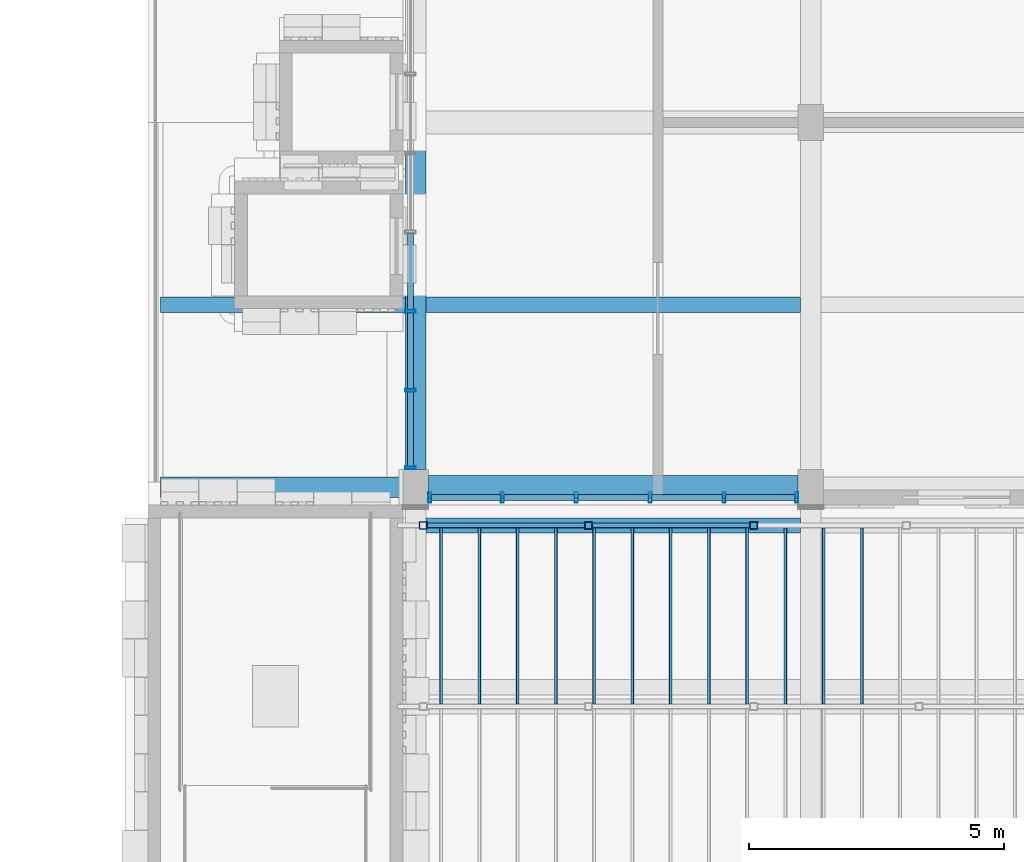
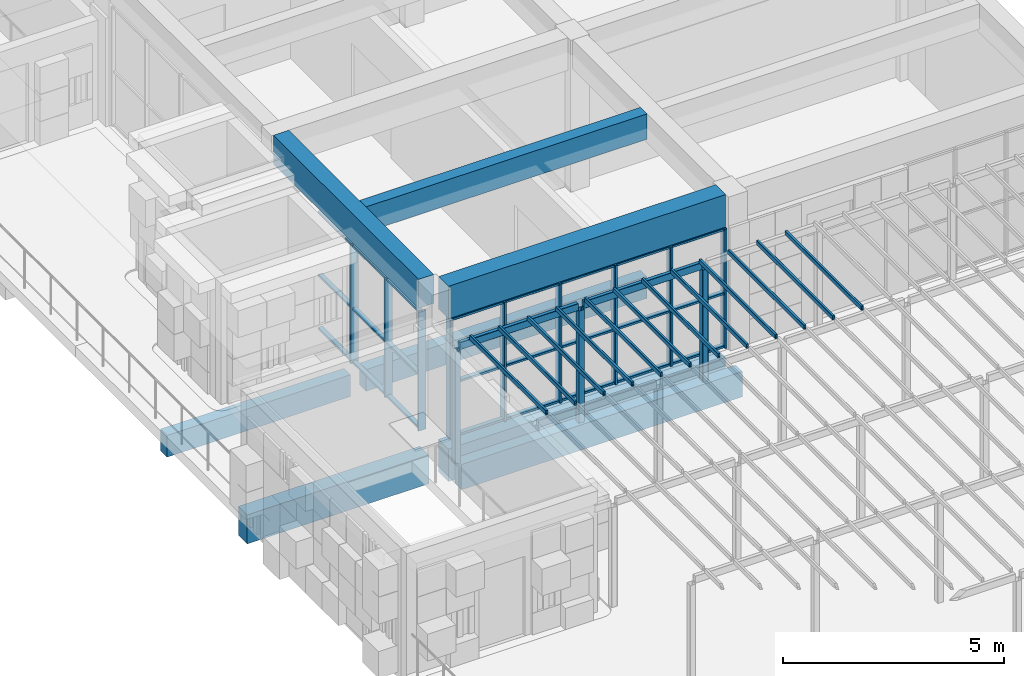
# One storey, part 4 of 26: 48 members, 10 beams, 2 elements without a shape of their own.
"""IFC4 building model written with IfcOpenShell, lengths in metres."""

from ifc_helpers import new_model, si_unit, direction, frame, origin, origin_2d, place, context, subcontext, project, spatial, rectangle, hollow_rectangle, extrude, material, material_profile, profile_set, type_object, element, aggregate, save


model = new_model("IFC4")

# Units and contexts
model_context = context("Model", 3, precision=1e-05, world=origin(), true_north=direction((0.0, 1.0)))
body_context = subcontext(model_context, "Body", "Model", "MODEL_VIEW")
ifc_project = project(units=[si_unit("LENGTHUNIT", "METRE"), si_unit("AREAUNIT", "SQUARE_METRE"), si_unit("VOLUMEUNIT", "CUBIC_METRE"), si_unit("PLANEANGLEUNIT", "RADIAN"), si_unit("MASSUNIT", "GRAM", prefix="KILO")], contexts=[model_context])

# Site, building, storey
site_placement = place(None, origin())
site = spatial("IfcSite", under=ifc_project, at=site_placement, CompositionType="ELEMENT")
building_placement = place(site_placement, origin())
building = spatial("IfcBuilding", under=site, at=building_placement, Name="Sun Court Science Centre", CompositionType="ELEMENT")
storey_placement = place(building_placement, frame((0.0, 0.0, 29.25)))
storey = spatial("IfcBuildingStorey", under=building, at=storey_placement, Name="L06", CompositionType="ELEMENT", Elevation=29.25)

# Curtain wall, members
ifc_material_1 = material(Name="Aluminium EN AW-6063 T6", Category="aluminium")
curtain_wall_type = type_object("IfcCurtainWallType", Name="Laboratory tall bay curtain wall 1500", PredefinedType="NOTDEFINED", material=ifc_material_1)
curtain_wall_1_placement = place(storey_placement, origin())
curtain_wall_1 = element("IfcCurtainWall", 1, at=curtain_wall_1_placement, inside=storey, type_object=curtain_wall_type, Name="Curtain wall V4 PW L06 01", PredefinedType="NOTDEFINED")
ifc_material_2 = material(Name="Aluminium EN AW-6063 T6", Category="aluminium")
ifc_material_profile_1 = material_profile(ifc_material_2, hollow_rectangle(XDim=0.06005859375, YDim=0.199951171875, WallThickness=0.0048828125, InnerFilletRadius=0.0048828125, OuterFilletRadius=0.007568359375, at=origin_2d()), Name="AL 60x200x5")
ifc_profile_set_1 = profile_set([ifc_material_profile_1], Name="Aluminium EN AW-6063 T6")
member_type_1 = type_object("IfcMemberType", Name="Curtain wall mullion AL 60x200", PredefinedType="MULLION", material=ifc_profile_set_1)
member_1_placement = place(storey_placement, frame((87.14990234375, 44.22998046875, 0.0), z_axis=(0.0, 0.0, 1.0), x_axis=(0.0, 1.0, 0.0)))
member_1 = element("IfcMember", 2, at=member_1_placement, type_object=member_type_1, Name="CW2-78 mullion 1", PredefinedType="MULLION", context=body_context, shape_type="SweptSolid", body=[
    extrude(hollow_rectangle(XDim=0.06005859375, YDim=0.199951171875, WallThickness=0.0048828125, InnerFilletRadius=0.0048828125, OuterFilletRadius=0.007568359375, at=origin_2d()), origin(), (0.0, 0.0, 1.0), 3.280029296875),
])
member_2_placement = place(storey_placement, frame((87.14990234375, 45.75, 0.0), z_axis=(0.0, 0.0, 1.0), x_axis=(0.0, 1.0, 0.0)))
member_2 = element("IfcMember", 3, at=member_2_placement, type_object=member_type_1, Name="CW2-78 mullion 2", PredefinedType="MULLION", context=body_context, shape_type="SweptSolid", body=[
    extrude(hollow_rectangle(XDim=0.06005859375, YDim=0.199951171875, WallThickness=0.0048828125, InnerFilletRadius=0.0048828125, OuterFilletRadius=0.007568359375, at=origin_2d()), origin(), (0.0, 0.0, 1.0), 3.280029296875),
])
member_3_placement = place(storey_placement, frame((87.14990234375, 47.300048828125, 0.0), z_axis=(0.0, 0.0, 1.0), x_axis=(0.0, 1.0, 0.0)))
member_3 = element("IfcMember", 4, at=member_3_placement, type_object=member_type_1, Name="CW2-78 mullion 3", PredefinedType="MULLION", context=body_context, shape_type="SweptSolid", body=[
    extrude(hollow_rectangle(XDim=0.06005859375, YDim=0.199951171875, WallThickness=0.0048828125, InnerFilletRadius=0.0048828125, OuterFilletRadius=0.007568359375, at=origin_2d()), origin(), (0.0, 0.0, 1.0), 3.280029296875),
])

curtain_wall_2_placement = place(storey_placement, origin())
curtain_wall_2 = element("IfcCurtainWall", 5, at=curtain_wall_2_placement, inside=storey, type_object=curtain_wall_type, Name="Curtain wall V4 PS L06 02", PredefinedType="NOTDEFINED")
member_4_placement = place(storey_placement, frame((87.530029296875, 43.64990234375, 0.0), z_axis=(0.0, 0.0, 1.0), x_axis=(-1.0, 0.0, 0.0)))
member_4 = element("IfcMember", 6, at=member_4_placement, type_object=member_type_1, Name="CW2-85 mullion 6", PredefinedType="MULLION", context=body_context, shape_type="SweptSolid", body=[
    extrude(hollow_rectangle(XDim=0.06005859375, YDim=0.199951171875, WallThickness=0.0048828125, InnerFilletRadius=0.0048828125, OuterFilletRadius=0.007568359375, at=origin_2d()), origin(), (0.0, 0.0, 1.0), 3.300048828125),
])
member_5_placement = place(storey_placement, frame((88.949951171875, 43.64990234375, 0.0), z_axis=(0.0, 0.0, 1.0), x_axis=(-1.0, 0.0, 0.0)))
member_5 = element("IfcMember", 7, at=member_5_placement, type_object=member_type_1, Name="CW2-85 mullion 5", PredefinedType="MULLION", context=body_context, shape_type="SweptSolid", body=[
    extrude(hollow_rectangle(XDim=0.06005859375, YDim=0.199951171875, WallThickness=0.0048828125, InnerFilletRadius=0.0048828125, OuterFilletRadius=0.007568359375, at=origin_2d()), origin(), (0.0, 0.0, 1.0), 3.300048828125),
])
member_6_placement = place(storey_placement, frame((90.39990234375, 43.64990234375, 0.0), z_axis=(0.0, 0.0, 1.0), x_axis=(-1.0, 0.0, 0.0)))
member_6 = element("IfcMember", 8, at=member_6_placement, type_object=member_type_1, Name="CW2-85 mullion 4", PredefinedType="MULLION", context=body_context, shape_type="SweptSolid", body=[
    extrude(hollow_rectangle(XDim=0.06005859375, YDim=0.199951171875, WallThickness=0.0048828125, InnerFilletRadius=0.0048828125, OuterFilletRadius=0.007568359375, at=origin_2d()), origin(), (0.0, 0.0, 1.0), 3.300048828125),
])
member_7_placement = place(storey_placement, frame((91.85009765625, 43.64990234375, 0.0), z_axis=(0.0, 0.0, 1.0), x_axis=(-1.0, 0.0, 0.0)))
member_7 = element("IfcMember", 9, at=member_7_placement, type_object=member_type_1, Name="CW2-85 mullion 3", PredefinedType="MULLION", context=body_context, shape_type="SweptSolid", body=[
    extrude(hollow_rectangle(XDim=0.06005859375, YDim=0.199951171875, WallThickness=0.0048828125, InnerFilletRadius=0.0048828125, OuterFilletRadius=0.007568359375, at=origin_2d()), origin(), (0.0, 0.0, 1.0), 3.300048828125),
])
member_8_placement = place(storey_placement, frame((93.300048828125, 43.64990234375, 0.0), z_axis=(0.0, 0.0, 1.0), x_axis=(-1.0, 0.0, 0.0)))
member_8 = element("IfcMember", 10, at=member_8_placement, type_object=member_type_1, Name="CW2-85 mullion 2", PredefinedType="MULLION", context=body_context, shape_type="SweptSolid", body=[
    extrude(hollow_rectangle(XDim=0.06005859375, YDim=0.199951171875, WallThickness=0.0048828125, InnerFilletRadius=0.0048828125, OuterFilletRadius=0.007568359375, at=origin_2d()), origin(), (0.0, 0.0, 1.0), 3.300048828125),
])
member_9_placement = place(storey_placement, frame((94.719970703125, 43.64990234375, 0.0), z_axis=(0.0, 0.0, 1.0), x_axis=(-1.0, 0.0, 0.0)))
member_9 = element("IfcMember", 11, at=member_9_placement, type_object=member_type_1, Name="CW2-85 mullion 1", PredefinedType="MULLION", context=body_context, shape_type="SweptSolid", body=[
    extrude(hollow_rectangle(XDim=0.06005859375, YDim=0.199951171875, WallThickness=0.0048828125, InnerFilletRadius=0.0048828125, OuterFilletRadius=0.007568359375, at=origin_2d()), origin(), (0.0, 0.0, 1.0), 3.300048828125),
])

# Member
ifc_material_3 = material(Name="Aluminium EN AW-6063 T6", Category="aluminium")
ifc_material_profile_2 = material_profile(ifc_material_3, hollow_rectangle(XDim=0.06005859375, YDim=0.1201171875, WallThickness=0.00390625, InnerFilletRadius=0.00390625, OuterFilletRadius=0.006103515625, at=origin_2d()), Name="AL 60x120x4")
ifc_profile_set_2 = profile_set([ifc_material_profile_2], Name="Aluminium EN AW-6063 T6")
member_type_2 = type_object("IfcMemberType", Name="Curtain wall transom AL 60x120", PredefinedType="USERDEFINED", material=ifc_profile_set_2)
member_10_placement = place(storey_placement, frame((87.14990234375, 44.260009765625, 0.030029296875), z_axis=(0.0, 1.0, 0.0), x_axis=(0.0, 0.0, 1.0)))
member_10 = element("IfcMember", 12, at=member_10_placement, type_object=member_type_2, Name="CW2-78 transom 1.1", ObjectType="TRANSOM", PredefinedType="USERDEFINED", context=body_context, shape_type="SweptSolid", body=[
    extrude(hollow_rectangle(XDim=0.06005859375, YDim=0.1201171875, WallThickness=0.00390625, InnerFilletRadius=0.00390625, OuterFilletRadius=0.006103515625, at=origin_2d()), origin(), (0.0, 0.0, 1.0), 1.4599609375),
])

member_11_placement = place(storey_placement, frame((87.14990234375, 45.780029296875, 0.030029296875), z_axis=(0.0, 1.0, 0.0), x_axis=(0.0, 0.0, 1.0)))
member_11 = element("IfcMember", 13, at=member_11_placement, type_object=member_type_2, Name="CW2-78 transom 2.1", ObjectType="TRANSOM", PredefinedType="USERDEFINED", context=body_context, shape_type="SweptSolid", body=[
    extrude(hollow_rectangle(XDim=0.06005859375, YDim=0.1201171875, WallThickness=0.00390625, InnerFilletRadius=0.00390625, OuterFilletRadius=0.006103515625, at=origin_2d()), origin(), (0.0, 0.0, 1.0), 1.489990234375),
])

member_12_placement = place(storey_placement, frame((87.14990234375, 47.330078125, 0.030029296875), z_axis=(0.0, 1.0, 0.0), x_axis=(0.0, 0.0, 1.0)))
member_12 = element("IfcMember", 14, at=member_12_placement, type_object=member_type_2, Name="CW2-78 transom 3.1", ObjectType="TRANSOM", PredefinedType="USERDEFINED", context=body_context, shape_type="SweptSolid", body=[
    extrude(hollow_rectangle(XDim=0.06005859375, YDim=0.1201171875, WallThickness=0.00390625, InnerFilletRadius=0.00390625, OuterFilletRadius=0.006103515625, at=origin_2d()), origin(), (0.0, 0.0, 1.0), 1.489990234375),
])

member_13_placement = place(storey_placement, frame((87.14990234375, 44.260009765625, 1.5), z_axis=(0.0, 1.0, 0.0), x_axis=(0.0, 0.0, 1.0)))
member_13 = element("IfcMember", 15, at=member_13_placement, type_object=member_type_2, Name="CW2-78 transom 1.2", ObjectType="TRANSOM", PredefinedType="USERDEFINED", context=body_context, shape_type="SweptSolid", body=[
    extrude(hollow_rectangle(XDim=0.06005859375, YDim=0.1201171875, WallThickness=0.00390625, InnerFilletRadius=0.00390625, OuterFilletRadius=0.006103515625, at=origin_2d()), origin(), (0.0, 0.0, 1.0), 1.4599609375),
])

member_14_placement = place(storey_placement, frame((87.14990234375, 45.780029296875, 1.5), z_axis=(0.0, 1.0, 0.0), x_axis=(0.0, 0.0, 1.0)))
member_14 = element("IfcMember", 16, at=member_14_placement, type_object=member_type_2, Name="CW2-78 transom 2.2", ObjectType="TRANSOM", PredefinedType="USERDEFINED", context=body_context, shape_type="SweptSolid", body=[
    extrude(hollow_rectangle(XDim=0.06005859375, YDim=0.1201171875, WallThickness=0.00390625, InnerFilletRadius=0.00390625, OuterFilletRadius=0.006103515625, at=origin_2d()), origin(), (0.0, 0.0, 1.0), 1.489990234375),
])

member_15_placement = place(storey_placement, frame((87.14990234375, 47.330078125, 1.5), z_axis=(0.0, 1.0, 0.0), x_axis=(0.0, 0.0, 1.0)))
member_15 = element("IfcMember", 17, at=member_15_placement, type_object=member_type_2, Name="CW2-78 transom 3.2", ObjectType="TRANSOM", PredefinedType="USERDEFINED", context=body_context, shape_type="SweptSolid", body=[
    extrude(hollow_rectangle(XDim=0.06005859375, YDim=0.1201171875, WallThickness=0.00390625, InnerFilletRadius=0.00390625, OuterFilletRadius=0.006103515625, at=origin_2d()), origin(), (0.0, 0.0, 1.0), 1.489990234375),
])

member_16_placement = place(storey_placement, frame((87.14990234375, 44.260009765625, 3.25), z_axis=(0.0, 1.0, 0.0), x_axis=(0.0, 0.0, 1.0)))
member_16 = element("IfcMember", 18, at=member_16_placement, type_object=member_type_2, Name="CW2-78 transom 1.3", ObjectType="TRANSOM", PredefinedType="USERDEFINED", context=body_context, shape_type="SweptSolid", body=[
    extrude(hollow_rectangle(XDim=0.06005859375, YDim=0.1201171875, WallThickness=0.00390625, InnerFilletRadius=0.00390625, OuterFilletRadius=0.006103515625, at=origin_2d()), origin(), (0.0, 0.0, 1.0), 1.4599609375),
])

member_17_placement = place(storey_placement, frame((87.14990234375, 45.780029296875, 3.25), z_axis=(0.0, 1.0, 0.0), x_axis=(0.0, 0.0, 1.0)))
member_17 = element("IfcMember", 19, at=member_17_placement, type_object=member_type_2, Name="CW2-78 transom 2.3", ObjectType="TRANSOM", PredefinedType="USERDEFINED", context=body_context, shape_type="SweptSolid", body=[
    extrude(hollow_rectangle(XDim=0.06005859375, YDim=0.1201171875, WallThickness=0.00390625, InnerFilletRadius=0.00390625, OuterFilletRadius=0.006103515625, at=origin_2d()), origin(), (0.0, 0.0, 1.0), 1.489990234375),
])

member_18_placement = place(storey_placement, frame((87.14990234375, 47.330078125, 3.25), z_axis=(0.0, 1.0, 0.0), x_axis=(0.0, 0.0, 1.0)))
member_18 = element("IfcMember", 20, at=member_18_placement, type_object=member_type_2, Name="CW2-78 transom 3.3", ObjectType="TRANSOM", PredefinedType="USERDEFINED", context=body_context, shape_type="SweptSolid", body=[
    extrude(hollow_rectangle(XDim=0.06005859375, YDim=0.1201171875, WallThickness=0.00390625, InnerFilletRadius=0.00390625, OuterFilletRadius=0.006103515625, at=origin_2d()), origin(), (0.0, 0.0, 1.0), 1.489990234375),
])

aggregate(curtain_wall_1, [member_1, member_2, member_3, member_10, member_11, member_12, member_13, member_14, member_15, member_16, member_17, member_18])

member_19_placement = place(storey_placement, frame((88.919921875, 43.64990234375, 0.030029296875), z_axis=(-1.0, 0.0, 0.0), x_axis=(0.0, 0.0, 1.0)))
member_19 = element("IfcMember", 21, at=member_19_placement, type_object=member_type_2, Name="CW2-85 transom 5.1", ObjectType="TRANSOM", PredefinedType="USERDEFINED", context=body_context, shape_type="SweptSolid", body=[
    extrude(hollow_rectangle(XDim=0.06005859375, YDim=0.1201171875, WallThickness=0.00390625, InnerFilletRadius=0.00390625, OuterFilletRadius=0.006103515625, at=origin_2d()), origin(), (0.0, 0.0, 1.0), 1.35986328125),
])

member_20_placement = place(storey_placement, frame((90.3701171875, 43.64990234375, 0.030029296875), z_axis=(-1.0, 0.0, 0.0), x_axis=(0.0, 0.0, 1.0)))
member_20 = element("IfcMember", 22, at=member_20_placement, type_object=member_type_2, Name="CW2-85 transom 4.1", ObjectType="TRANSOM", PredefinedType="USERDEFINED", context=body_context, shape_type="SweptSolid", body=[
    extrude(hollow_rectangle(XDim=0.06005859375, YDim=0.1201171875, WallThickness=0.00390625, InnerFilletRadius=0.00390625, OuterFilletRadius=0.006103515625, at=origin_2d()), origin(), (0.0, 0.0, 1.0), 1.39013671875),
])

member_21_placement = place(storey_placement, frame((91.820068359375, 43.64990234375, 0.030029296875), z_axis=(-1.0, 0.0, 0.0), x_axis=(0.0, 0.0, 1.0)))
member_21 = element("IfcMember", 23, at=member_21_placement, type_object=member_type_2, Name="CW2-85 transom 3.1", ObjectType="TRANSOM", PredefinedType="USERDEFINED", context=body_context, shape_type="SweptSolid", body=[
    extrude(hollow_rectangle(XDim=0.06005859375, YDim=0.1201171875, WallThickness=0.00390625, InnerFilletRadius=0.00390625, OuterFilletRadius=0.006103515625, at=origin_2d()), origin(), (0.0, 0.0, 1.0), 1.39013671875),
])

member_22_placement = place(storey_placement, frame((93.27001953125, 43.64990234375, 0.030029296875), z_axis=(-1.0, 0.0, 0.0), x_axis=(0.0, 0.0, 1.0)))
member_22 = element("IfcMember", 24, at=member_22_placement, type_object=member_type_2, Name="CW2-85 transom 2.1", ObjectType="TRANSOM", PredefinedType="USERDEFINED", context=body_context, shape_type="SweptSolid", body=[
    extrude(hollow_rectangle(XDim=0.06005859375, YDim=0.1201171875, WallThickness=0.00390625, InnerFilletRadius=0.00390625, OuterFilletRadius=0.006103515625, at=origin_2d()), origin(), (0.0, 0.0, 1.0), 1.39013671875),
])

member_23_placement = place(storey_placement, frame((94.68994140625, 43.64990234375, 0.030029296875), z_axis=(-1.0, 0.0, 0.0), x_axis=(0.0, 0.0, 1.0)))
member_23 = element("IfcMember", 25, at=member_23_placement, type_object=member_type_2, Name="CW2-85 transom 1.1", ObjectType="TRANSOM", PredefinedType="USERDEFINED", context=body_context, shape_type="SweptSolid", body=[
    extrude(hollow_rectangle(XDim=0.06005859375, YDim=0.1201171875, WallThickness=0.00390625, InnerFilletRadius=0.00390625, OuterFilletRadius=0.006103515625, at=origin_2d()), origin(), (0.0, 0.0, 1.0), 1.35986328125),
])

member_24_placement = place(storey_placement, frame((88.919921875, 43.64990234375, 1.5), z_axis=(-1.0, 0.0, 0.0), x_axis=(0.0, 0.0, 1.0)))
member_24 = element("IfcMember", 26, at=member_24_placement, type_object=member_type_2, Name="CW2-85 transom 5.2", ObjectType="TRANSOM", PredefinedType="USERDEFINED", context=body_context, shape_type="SweptSolid", body=[
    extrude(hollow_rectangle(XDim=0.06005859375, YDim=0.1201171875, WallThickness=0.00390625, InnerFilletRadius=0.00390625, OuterFilletRadius=0.006103515625, at=origin_2d()), origin(), (0.0, 0.0, 1.0), 1.35986328125),
])

member_25_placement = place(storey_placement, frame((90.3701171875, 43.64990234375, 1.5), z_axis=(-1.0, 0.0, 0.0), x_axis=(0.0, 0.0, 1.0)))
member_25 = element("IfcMember", 27, at=member_25_placement, type_object=member_type_2, Name="CW2-85 transom 4.2", ObjectType="TRANSOM", PredefinedType="USERDEFINED", context=body_context, shape_type="SweptSolid", body=[
    extrude(hollow_rectangle(XDim=0.06005859375, YDim=0.1201171875, WallThickness=0.00390625, InnerFilletRadius=0.00390625, OuterFilletRadius=0.006103515625, at=origin_2d()), origin(), (0.0, 0.0, 1.0), 1.39013671875),
])

member_26_placement = place(storey_placement, frame((91.820068359375, 43.64990234375, 1.5), z_axis=(-1.0, 0.0, 0.0), x_axis=(0.0, 0.0, 1.0)))
member_26 = element("IfcMember", 28, at=member_26_placement, type_object=member_type_2, Name="CW2-85 transom 3.2", ObjectType="TRANSOM", PredefinedType="USERDEFINED", context=body_context, shape_type="SweptSolid", body=[
    extrude(hollow_rectangle(XDim=0.06005859375, YDim=0.1201171875, WallThickness=0.00390625, InnerFilletRadius=0.00390625, OuterFilletRadius=0.006103515625, at=origin_2d()), origin(), (0.0, 0.0, 1.0), 1.39013671875),
])

member_27_placement = place(storey_placement, frame((93.27001953125, 43.64990234375, 1.5), z_axis=(-1.0, 0.0, 0.0), x_axis=(0.0, 0.0, 1.0)))
member_27 = element("IfcMember", 29, at=member_27_placement, type_object=member_type_2, Name="CW2-85 transom 2.2", ObjectType="TRANSOM", PredefinedType="USERDEFINED", context=body_context, shape_type="SweptSolid", body=[
    extrude(hollow_rectangle(XDim=0.06005859375, YDim=0.1201171875, WallThickness=0.00390625, InnerFilletRadius=0.00390625, OuterFilletRadius=0.006103515625, at=origin_2d()), origin(), (0.0, 0.0, 1.0), 1.39013671875),
])

member_28_placement = place(storey_placement, frame((94.68994140625, 43.64990234375, 1.5), z_axis=(-1.0, 0.0, 0.0), x_axis=(0.0, 0.0, 1.0)))
member_28 = element("IfcMember", 30, at=member_28_placement, type_object=member_type_2, Name="CW2-85 transom 1.2", ObjectType="TRANSOM", PredefinedType="USERDEFINED", context=body_context, shape_type="SweptSolid", body=[
    extrude(hollow_rectangle(XDim=0.06005859375, YDim=0.1201171875, WallThickness=0.00390625, InnerFilletRadius=0.00390625, OuterFilletRadius=0.006103515625, at=origin_2d()), origin(), (0.0, 0.0, 1.0), 1.35986328125),
])

member_29_placement = place(storey_placement, frame((88.919921875, 43.64990234375, 3.27001953125), z_axis=(-1.0, 0.0, 0.0), x_axis=(0.0, 0.0, 1.0)))
member_29 = element("IfcMember", 31, at=member_29_placement, type_object=member_type_2, Name="CW2-85 transom 5.3", ObjectType="TRANSOM", PredefinedType="USERDEFINED", context=body_context, shape_type="SweptSolid", body=[
    extrude(hollow_rectangle(XDim=0.06005859375, YDim=0.1201171875, WallThickness=0.00390625, InnerFilletRadius=0.00390625, OuterFilletRadius=0.006103515625, at=origin_2d()), origin(), (0.0, 0.0, 1.0), 1.35986328125),
])

member_30_placement = place(storey_placement, frame((90.3701171875, 43.64990234375, 3.27001953125), z_axis=(-1.0, 0.0, 0.0), x_axis=(0.0, 0.0, 1.0)))
member_30 = element("IfcMember", 32, at=member_30_placement, type_object=member_type_2, Name="CW2-85 transom 4.3", ObjectType="TRANSOM", PredefinedType="USERDEFINED", context=body_context, shape_type="SweptSolid", body=[
    extrude(hollow_rectangle(XDim=0.06005859375, YDim=0.1201171875, WallThickness=0.00390625, InnerFilletRadius=0.00390625, OuterFilletRadius=0.006103515625, at=origin_2d()), origin(), (0.0, 0.0, 1.0), 1.39013671875),
])

member_31_placement = place(storey_placement, frame((91.820068359375, 43.64990234375, 3.27001953125), z_axis=(-1.0, 0.0, 0.0), x_axis=(0.0, 0.0, 1.0)))
member_31 = element("IfcMember", 33, at=member_31_placement, type_object=member_type_2, Name="CW2-85 transom 3.3", ObjectType="TRANSOM", PredefinedType="USERDEFINED", context=body_context, shape_type="SweptSolid", body=[
    extrude(hollow_rectangle(XDim=0.06005859375, YDim=0.1201171875, WallThickness=0.00390625, InnerFilletRadius=0.00390625, OuterFilletRadius=0.006103515625, at=origin_2d()), origin(), (0.0, 0.0, 1.0), 1.39013671875),
])

member_32_placement = place(storey_placement, frame((93.27001953125, 43.64990234375, 3.27001953125), z_axis=(-1.0, 0.0, 0.0), x_axis=(0.0, 0.0, 1.0)))
member_32 = element("IfcMember", 34, at=member_32_placement, type_object=member_type_2, Name="CW2-85 transom 2.3", ObjectType="TRANSOM", PredefinedType="USERDEFINED", context=body_context, shape_type="SweptSolid", body=[
    extrude(hollow_rectangle(XDim=0.06005859375, YDim=0.1201171875, WallThickness=0.00390625, InnerFilletRadius=0.00390625, OuterFilletRadius=0.006103515625, at=origin_2d()), origin(), (0.0, 0.0, 1.0), 1.39013671875),
])

member_33_placement = place(storey_placement, frame((94.68994140625, 43.64990234375, 3.27001953125), z_axis=(-1.0, 0.0, 0.0), x_axis=(0.0, 0.0, 1.0)))
member_33 = element("IfcMember", 35, at=member_33_placement, type_object=member_type_2, Name="CW2-85 transom 1.3", ObjectType="TRANSOM", PredefinedType="USERDEFINED", context=body_context, shape_type="SweptSolid", body=[
    extrude(hollow_rectangle(XDim=0.06005859375, YDim=0.1201171875, WallThickness=0.00390625, InnerFilletRadius=0.00390625, OuterFilletRadius=0.006103515625, at=origin_2d()), origin(), (0.0, 0.0, 1.0), 1.35986328125),
])

aggregate(curtain_wall_2, [member_4, member_5, member_6, member_7, member_8, member_9, member_19, member_20, member_21, member_22, member_23, member_24, member_25, member_26, member_27, member_28, member_29, member_30, member_31, member_32, member_33])

# Members
ifc_material_4 = material(Name="Steel S275", Category="steel")
ifc_material_profile_3 = material_profile(ifc_material_4, hollow_rectangle(XDim=0.14990234375, YDim=0.14990234375, WallThickness=0.008056640625, InnerFilletRadius=0.008056640625, OuterFilletRadius=0.011962890625, at=origin_2d()), Name="SHS 150x150x8")
ifc_profile_set_3 = profile_set([ifc_material_profile_3], Name="Steel S275")
member_type_3 = type_object("IfcMemberType", Name="Pergola post SHS 150x150x8", PredefinedType="POST", material=ifc_profile_set_3)
for number, where, z_axis, x_axis, name in (
    (36, (87.39990234375, 43.10009765625, -0.300048828125), (0.0, 0.0, 1.0), (1.0, 0.0, 0.0), "Pergola post 1.5"),
    (37, (90.639892578125, 43.10009765625, -0.300048828125), (0.0, 0.0, 1.0), (1.0, 0.0, 0.0), "Pergola post 2.5"),
    (38, (93.8798828125, 43.10009765625, -0.300048828125), (0.0, 0.0, 1.0), (1.0, 0.0, 0.0), "Pergola post 3.5"),
):
    element("IfcMember", number, at=place(storey_placement, frame(where, z_axis=z_axis, x_axis=x_axis)), inside=storey, type_object=member_type_3, Name=name, PredefinedType="POST", context=body_context, shape_type="SweptSolid", body=[
        extrude(hollow_rectangle(XDim=0.14990234375, YDim=0.14990234375, WallThickness=0.008056640625, InnerFilletRadius=0.008056640625, OuterFilletRadius=0.011962890625, at=origin_2d()), origin(), (0.0, 0.0, 1.0), 3.10009765625),
    ])
ifc_material_5 = material(Name="Steel S275", Category="steel")
ifc_material_profile_4 = material_profile(ifc_material_5, hollow_rectangle(XDim=0.06005859375, YDim=0.1201171875, WallThickness=0.0048828125, InnerFilletRadius=0.0048828125, OuterFilletRadius=0.007568359375, at=origin_2d()), Name="RHS 120x60x5")
ifc_profile_set_4 = profile_set([ifc_material_profile_4], Name="Steel S275")
member_type_4 = type_object("IfcMemberType", Name="Pergola rafter RHS 120x60x5", PredefinedType="RAFTER", material=ifc_profile_set_4)
for number, where, z_axis, x_axis, name in (
    (39, (87.75, 39.60009765625, 3.06005859375), (0.0, 1.0, 0.0), (-1.0, 0.0, 0.0), "Pergola rafter"),
    (40, (88.5, 39.60009765625, 3.06005859375), (0.0, 1.0, 0.0), (-1.0, 0.0, 0.0), "Pergola rafter"),
    (41, (89.25, 39.60009765625, 3.06005859375), (0.0, 1.0, 0.0), (-1.0, 0.0, 0.0), "Pergola rafter"),
    (42, (90.0, 39.60009765625, 3.06005859375), (0.0, 1.0, 0.0), (-1.0, 0.0, 0.0), "Pergola rafter"),
    (43, (90.75, 39.60009765625, 3.06005859375), (0.0, 1.0, 0.0), (-1.0, 0.0, 0.0), "Pergola rafter"),
    (44, (91.5, 39.60009765625, 3.06005859375), (0.0, 1.0, 0.0), (-1.0, 0.0, 0.0), "Pergola rafter"),
    (45, (92.25, 39.60009765625, 3.06005859375), (0.0, 1.0, 0.0), (-1.0, 0.0, 0.0), "Pergola rafter"),
    (46, (93.0, 39.60009765625, 3.06005859375), (0.0, 1.0, 0.0), (-1.0, 0.0, 0.0), "Pergola rafter"),
    (47, (93.75, 39.60009765625, 3.06005859375), (0.0, 1.0, 0.0), (-1.0, 0.0, 0.0), "Pergola rafter"),
    (48, (94.5, 39.60009765625, 3.06005859375), (0.0, 1.0, 0.0), (-1.0, 0.0, 0.0), "Pergola rafter"),
    (49, (95.25, 39.60009765625, 3.06005859375), (0.0, 1.0, 0.0), (-1.0, 0.0, 0.0), "Pergola rafter"),
    (50, (96.0, 39.60009765625, 3.06005859375), (0.0, 1.0, 0.0), (-1.0, 0.0, 0.0), "Pergola rafter"),
):
    element("IfcMember", number, at=place(storey_placement, frame(where, z_axis=z_axis, x_axis=x_axis)), inside=storey, type_object=member_type_4, Name=name, PredefinedType="RAFTER", context=body_context, shape_type="SweptSolid", body=[
        extrude(hollow_rectangle(XDim=0.06005859375, YDim=0.1201171875, WallThickness=0.0048828125, InnerFilletRadius=0.0048828125, OuterFilletRadius=0.007568359375, at=origin_2d()), origin(), (0.0, 0.0, 1.0), 3.449951171875),
    ])

# Beams
ifc_material_6 = material(Name="Concrete C25/30", Category="concrete")
ifc_material_profile_5 = material_profile(ifc_material_6, rectangle(XDim=0.39990234375, YDim=0.800048828125, at=origin_2d()), Name="RC 400x800")
ifc_profile_set_5 = profile_set([ifc_material_profile_5], Name="Concrete C25/30")
beam_type_1 = type_object("IfcBeamType", Name="RC girder 400x800", PredefinedType="BEAM", material=ifc_profile_set_5)
beam_1_placement = place(storey_placement, frame((82.25, 43.85009765625, -0.699951171875), z_axis=(1.0, 0.0, 0.0), x_axis=(0.0, 1.0, 0.0)))
element("IfcBeam", 51, at=beam_1_placement, inside=storey, type_object=beam_type_1, Name="Girder L06 row 3", PredefinedType="BEAM", context=body_context, shape_type="SweptSolid", body=[
    extrude(rectangle(XDim=0.39990234375, YDim=0.800048828125, at=origin_2d()), origin(), (0.0, 0.0, 1.0), 4.75),
])
beam_2_placement = place(storey_placement, frame((87.25, 44.199951171875, 3.800048828125), z_axis=(0.0, 1.0, 0.0), x_axis=(-1.0, 0.0, 0.0)))
element("IfcBeam", 52, at=beam_2_placement, inside=storey, type_object=beam_type_1, Name="Girder L06P line 1", PredefinedType="BEAM", context=body_context, shape_type="SweptSolid", body=[
    extrude(rectangle(XDim=0.39990234375, YDim=0.800048828125, at=origin_2d()), origin(), (0.0, 0.0, 1.0), 6.574951171875),
])
ifc_material_7 = material(Name="Concrete C25/30", Category="concrete")
ifc_material_profile_6 = material_profile(ifc_material_7, rectangle(XDim=0.449951171875, YDim=0.89990234375, at=origin_2d()), Name="RC 450x900")
ifc_profile_set_6 = profile_set([ifc_material_profile_6], Name="Concrete C25/30")
beam_type_2 = type_object("IfcBeamType", Name="RC girder 450x900", PredefinedType="BEAM", material=ifc_profile_set_6)
for number, where, z_axis, x_axis, name in (
    (53, (87.5, 43.85009765625, -0.75), (1.0, 0.0, 0.0), (0.0, 1.0, 0.0), "Girder L06 row 3"),
    (54, (87.5, 43.85009765625, 3.75), (1.0, 0.0, 0.0), (0.0, 1.0, 0.0), "Girder L06P row 1"),
):
    element("IfcBeam", number, at=place(storey_placement, frame(where, z_axis=z_axis, x_axis=x_axis)), inside=storey, type_object=beam_type_2, Name=name, PredefinedType="BEAM", context=body_context, shape_type="SweptSolid", body=[
        extrude(rectangle(XDim=0.449951171875, YDim=0.89990234375, at=origin_2d()), origin(), (0.0, 0.0, 1.0), 7.25),
    ])
ifc_material_8 = material(Name="Concrete C25/30", Category="concrete")
ifc_material_profile_7 = material_profile(ifc_material_8, rectangle(XDim=0.300048828125, YDim=0.60009765625, at=origin_2d()), Name="RC 300x600")
ifc_profile_set_7 = profile_set([ifc_material_profile_7], Name="Concrete C25/30")
beam_type_3 = type_object("IfcBeamType", Name="RC joist 300x600", PredefinedType="JOIST", material=ifc_profile_set_7)
beam_3_placement = place(storey_placement, frame((82.25, 47.425048828125, -0.60009765625), z_axis=(1.0, 0.0, 0.0), x_axis=(0.0, 1.0, 0.0)))
element("IfcBeam", 55, at=beam_3_placement, inside=storey, type_object=beam_type_3, Name="Joist L06", PredefinedType="JOIST", context=body_context, shape_type="SweptSolid", body=[
    extrude(rectangle(XDim=0.300048828125, YDim=0.60009765625, at=origin_2d()), origin(), (0.0, 0.0, 1.0), 4.800048828125),
])
beam_4_placement = place(storey_placement, frame((87.449951171875, 47.425048828125, -0.60009765625), z_axis=(1.0, 0.0, 0.0), x_axis=(0.0, 1.0, 0.0)))
element("IfcBeam", 56, at=beam_4_placement, inside=storey, type_object=beam_type_3, Name="Joist L06", PredefinedType="JOIST", context=body_context, shape_type="SweptSolid", body=[
    extrude(rectangle(XDim=0.300048828125, YDim=0.60009765625, at=origin_2d()), origin(), (0.0, 0.0, 1.0), 7.35009765625),
])
ifc_material_9 = material(Name="Concrete C25/30", Category="concrete")
ifc_material_profile_8 = material_profile(ifc_material_9, rectangle(XDim=0.300048828125, YDim=0.699951171875, at=origin_2d()), Name="RC 300x700")
ifc_profile_set_8 = profile_set([ifc_material_profile_8], Name="Concrete C25/30")
beam_type_4 = type_object("IfcBeamType", Name="RC joist 300x700", PredefinedType="JOIST", material=ifc_profile_set_8)
for number, where, z_axis, x_axis, name in (
    (57, (87.449951171875, 47.425048828125, 3.85009765625), (1.0, 0.0, 0.0), (0.0, 1.0, 0.0), "Joist L06P"),
    (58, (87.449951171875, 43.10009765625, -0.64990234375), (1.0, 0.0, 0.0), (0.0, 1.0, 0.0), "Joist L06 under pergola posts"),
):
    element("IfcBeam", number, at=place(storey_placement, frame(where, z_axis=z_axis, x_axis=x_axis)), inside=storey, type_object=beam_type_4, Name=name, PredefinedType="JOIST", context=body_context, shape_type="SweptSolid", body=[
        extrude(rectangle(XDim=0.300048828125, YDim=0.699951171875, at=origin_2d()), origin(), (0.0, 0.0, 1.0), 7.35009765625),
    ])
ifc_material_10 = material(Name="Steel S275", Category="steel")
ifc_material_profile_9 = material_profile(ifc_material_10, hollow_rectangle(XDim=0.10009765625, YDim=0.199951171875, WallThickness=0.008056640625, InnerFilletRadius=0.008056640625, OuterFilletRadius=0.011962890625, at=origin_2d()), Name="RHS 200x100x8")
ifc_profile_set_9 = profile_set([ifc_material_profile_9], Name="Steel S275")
beam_type_5 = type_object("IfcBeamType", Name="Steel beam RHS 200x100x8", PredefinedType="BEAM", material=ifc_profile_set_9)
for number, where, z_axis, x_axis, name in (
    (59, (87.47509765625, 43.10009765625, 2.89990234375), (1.0, 0.0, 0.0), (0.0, 1.0, 0.0), "Pergola beam 5"),
    (60, (90.715087890625, 43.10009765625, 2.89990234375), (1.0, 0.0, 0.0), (0.0, 1.0, 0.0), "Pergola beam 5"),
):
    element("IfcBeam", number, at=place(storey_placement, frame(where, z_axis=z_axis, x_axis=x_axis)), inside=storey, type_object=beam_type_5, Name=name, PredefinedType="BEAM", context=body_context, shape_type="SweptSolid", body=[
        extrude(hollow_rectangle(XDim=0.10009765625, YDim=0.199951171875, WallThickness=0.008056640625, InnerFilletRadius=0.008056640625, OuterFilletRadius=0.011962890625, at=origin_2d()), origin(), (0.0, 0.0, 1.0), 3.08984375),
    ])

save(model, "model.ifc")
